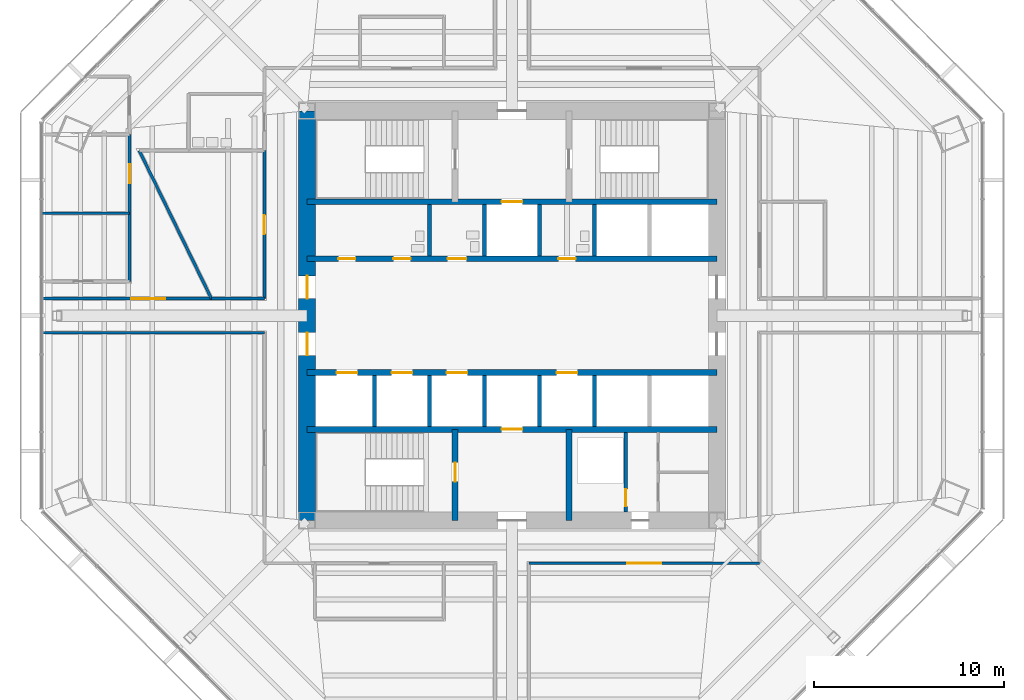
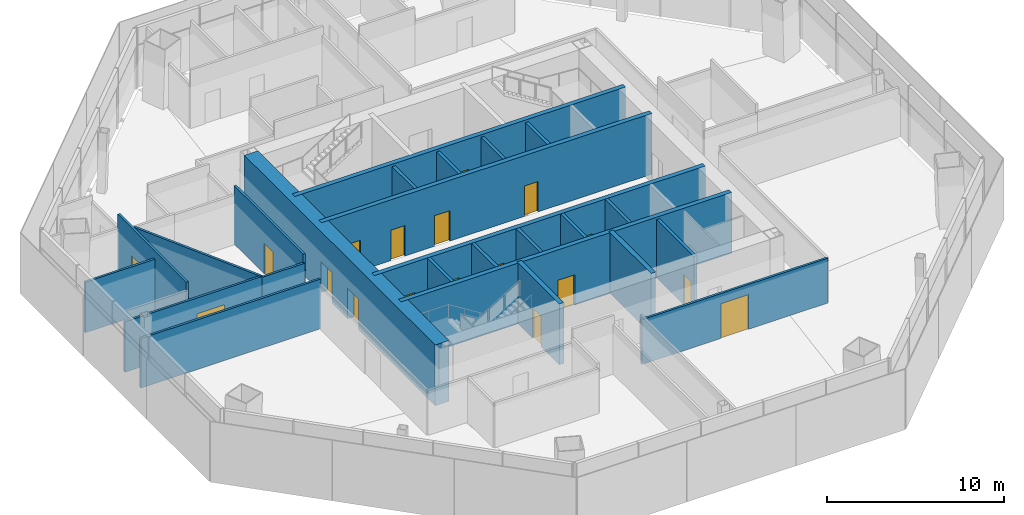
# One storey, part 9 of 14: 25 walls, 18 doors, 18 openings.
"""IFC4 building model written with IfcOpenShell, lengths in metres."""

from ifc_helpers import new_model, si_unit, direction, frame, frame_2d, origin, place, context, subcontext, project, spatial, rectangle, extrude, material, layer, layer_set, type_object, element, fill, save


model = new_model("IFC4")

# Units and contexts
model_context = context("Model", 3, precision=1e-05, world=origin(), true_north=direction((0.0, 1.0)))
body_context = subcontext(model_context, "Body", "Model", "MODEL_VIEW")
ifc_project = project(units=[si_unit("LENGTHUNIT", "METRE"), si_unit("AREAUNIT", "SQUARE_METRE"), si_unit("VOLUMEUNIT", "CUBIC_METRE"), si_unit("PLANEANGLEUNIT", "RADIAN"), si_unit("MASSUNIT", "GRAM", prefix="KILO")], contexts=[model_context])

# Site, building, storey
site_placement = place(None, origin())
site = spatial("IfcSite", under=ifc_project, at=site_placement, CompositionType="ELEMENT")
building_placement = place(site_placement, origin())
building = spatial("IfcBuilding", under=site, at=building_placement, Name="Mashrafa Tower", CompositionType="ELEMENT")
storey_placement = place(building_placement, frame((0.0, 0.0, 113.39990234375)))
storey = spatial("IfcBuildingStorey", under=building, at=storey_placement, Name="L25", CompositionType="ELEMENT", Elevation=113.39990234375)

# Wall, opening, door
ifc_material_1 = material(Name="Concrete masonry unit", Category="masonry")
ifc_layer_1 = layer(ifc_material_1, 0.199951171875)
ifc_layer_set_1 = layer_set([ifc_layer_1], Name="Blockwork wall 200 2 hr")
wall_type_1 = type_object("IfcWallType", Name="Blockwork wall 200 2 hr", PredefinedType="PARTITIONING", material=ifc_layer_set_1)
wall_1_placement = place(storey_placement, frame((6.0, -10.35009765625, 0.0), z_axis=(0.0, 0.0, 1.0), x_axis=(0.0, 1.0, 0.0)))
wall_1 = element("IfcWall", 1, at=wall_1_placement, inside=storey, type_object=wall_type_1, Name="Riser enclosure wall L25", PredefinedType="PARTITIONING", context=body_context, shape_type="SweptSolid", body=[
    extrude(rectangle(XDim=4.2001953125, YDim=0.199951171875, at=frame_2d((2.10009765625, 0.0))), origin(), (0.0, 0.0, 1.0), 4.03515625),
])
opening_1_placement = place(wall_1_placement, frame((0.300048828125, 0.0, 0.0)))
opening_1 = element("IfcOpeningElement", 2, at=opening_1_placement, cuts=wall_1, Name="Opening 25.028", PredefinedType="OPENING", context=body_context, shape_type="SweptSolid", body=[
    extrude(rectangle(XDim=0.89990234375, YDim=2.10009765625, at=frame_2d((0.449951171875, 1.050048828125))), frame((0.0, 0.10986328125, 0.0), z_axis=(0.0, -1.0, 0.0), x_axis=(1.0, 0.0, 0.0)), (0.0, 0.0, 1.0), 0.219970703125),
])
ifc_material_2 = material(Name="Steel door", Category="steel")
door_type_1 = type_object("IfcDoorType", Name="Service door 900 x 2100 90 min", OperationType="USERDEFINED", PredefinedType="DOOR", material=ifc_material_2)
door_1_placement = place(opening_1_placement, origin())
door_1 = element("IfcDoor", 3, at=door_1_placement, inside=storey, type_object=door_type_1, Name="Riser door L25", OperationType="SINGLE_SWING_LEFT", OverallHeight=2.10009765625, OverallWidth=0.89990234375, PredefinedType="DOOR", context=body_context, shape_type="SweptSolid", body=[
    extrude(rectangle(XDim=0.89990234375, YDim=2.10009765625, at=frame_2d((0.449951171875, 1.050048828125))), frame((0.0, 0.02490234375, 0.0), z_axis=(0.0, -1.0, 0.0), x_axis=(1.0, 0.0, 0.0)), (0.0, 0.0, 1.0), 0.050048828125),
])
fill(opening_1, door_1)

# Wall, openings, doors
ifc_material_3 = material(Name="Concrete C60/75", Category="concrete")
ifc_layer_2 = layer(ifc_material_3, 0.300048828125)
ifc_layer_set_2 = layer_set([ifc_layer_2], Name="Core wall 300 C60/75")
wall_type_2 = type_object("IfcWallType", Name="Core wall 300 C60/75", PredefinedType="SOLIDWALL", material=ifc_layer_set_2)
wall_2_placement = place(storey_placement, frame((-10.800048828125, 3.0, 0.0), z_axis=(0.0, 0.0, 1.0), x_axis=(1.0, 0.0, 0.0)))
wall_2 = element("IfcWall", 4, at=wall_2_placement, inside=storey, type_object=wall_type_2, Name="Core wall CH-N L25", PredefinedType="SOLIDWALL", context=body_context, shape_type="SweptSolid", body=[
    extrude(rectangle(XDim=21.60009765625, YDim=0.300048828125, at=frame_2d((10.800048828125, 0.0))), origin(), (0.0, 0.0, 1.0), 4.2001953125),
])
opening_2_placement = place(wall_2_placement, frame((1.64990234375, 0.0, 0.0)))
opening_2 = element("IfcOpeningElement", 5, at=opening_2_placement, cuts=wall_2, Name="Opening 25.031", PredefinedType="OPENING", context=body_context, shape_type="SweptSolid", body=[
    extrude(rectangle(XDim=0.89990234375, YDim=2.10009765625, at=frame_2d((0.449951171875, 1.050048828125))), frame((0.0, 0.159912109375, 0.0), z_axis=(0.0, -1.0, 0.0), x_axis=(1.0, 0.0, 0.0)), (0.0, 0.0, 1.0), 0.320068359375),
])
opening_3_placement = place(wall_2_placement, frame((4.550048828125, 0.0, 0.0)))
opening_3 = element("IfcOpeningElement", 6, at=opening_3_placement, cuts=wall_2, Name="Opening 25.032", PredefinedType="OPENING", context=body_context, shape_type="SweptSolid", body=[
    extrude(rectangle(XDim=0.89990234375, YDim=2.10009765625, at=frame_2d((0.449951171875, 1.050048828125))), frame((0.0, 0.159912109375, 0.0), z_axis=(0.0, -1.0, 0.0), x_axis=(1.0, 0.0, 0.0)), (0.0, 0.0, 1.0), 0.320068359375),
])
opening_4_placement = place(wall_2_placement, frame((7.39990234375, 0.0, 0.0)))
opening_4 = element("IfcOpeningElement", 7, at=opening_4_placement, cuts=wall_2, Name="Opening 25.033", PredefinedType="OPENING", context=body_context, shape_type="SweptSolid", body=[
    extrude(rectangle(XDim=1.0, YDim=2.10009765625, at=frame_2d((0.5, 1.050048828125))), frame((0.0, 0.159912109375, 0.0), z_axis=(0.0, -1.0, 0.0), x_axis=(1.0, 0.0, 0.0)), (0.0, 0.0, 1.0), 0.320068359375),
])
opening_5_placement = place(wall_2_placement, frame((13.25, 0.0, 0.0)))
opening_5 = element("IfcOpeningElement", 8, at=opening_5_placement, cuts=wall_2, Name="Opening 25.034", PredefinedType="OPENING", context=body_context, shape_type="SweptSolid", body=[
    extrude(rectangle(XDim=0.89990234375, YDim=2.10009765625, at=frame_2d((0.449951171875, 1.050048828125))), frame((0.0, 0.159912109375, 0.0), z_axis=(0.0, -1.0, 0.0), x_axis=(1.0, 0.0, 0.0)), (0.0, 0.0, 1.0), 0.320068359375),
])
ifc_material_4 = material(Name="Timber door", Category="wood")
door_type_2 = type_object("IfcDoorType", Name="Accessible toilet door 1000 x 2100", OperationType="USERDEFINED", PredefinedType="DOOR", material=ifc_material_4)
door_2_placement = place(opening_4_placement, origin())
door_2 = element("IfcDoor", 9, at=door_2_placement, inside=storey, type_object=door_type_2, Name="Accessible WC L25 door", OperationType="SINGLE_SWING_LEFT", OverallHeight=2.10009765625, OverallWidth=1.0, PredefinedType="DOOR", context=body_context, shape_type="SweptSolid", body=[
    extrude(rectangle(XDim=1.0, YDim=2.10009765625, at=frame_2d((0.5, 1.050048828125))), frame((0.0, 0.02490234375, 0.0), z_axis=(0.0, -1.0, 0.0), x_axis=(1.0, 0.0, 0.0)), (0.0, 0.0, 1.0), 0.050048828125),
])
fill(opening_4, door_2)
ifc_material_5 = material(Name="Timber door", Category="wood")
door_type_3 = type_object("IfcDoorType", Name="Toilet door 900 x 2100", OperationType="USERDEFINED", PredefinedType="DOOR", material=ifc_material_5)
door_3_placement = place(opening_2_placement, origin())
door_3 = element("IfcDoor", 10, at=door_3_placement, inside=storey, type_object=door_type_3, Name="WC Female L25 door", OperationType="SINGLE_SWING_LEFT", OverallHeight=2.10009765625, OverallWidth=0.89990234375, PredefinedType="DOOR", context=body_context, shape_type="SweptSolid", body=[
    extrude(rectangle(XDim=0.89990234375, YDim=2.10009765625, at=frame_2d((0.449951171875, 1.050048828125))), frame((0.0, 0.02490234375, 0.0), z_axis=(0.0, -1.0, 0.0), x_axis=(1.0, 0.0, 0.0)), (0.0, 0.0, 1.0), 0.050048828125),
])
fill(opening_2, door_3)
door_4_placement = place(opening_3_placement, origin())
door_4 = element("IfcDoor", 11, at=door_4_placement, inside=storey, type_object=door_type_3, Name="WC Female L25 door", OperationType="SINGLE_SWING_RIGHT", OverallHeight=2.10009765625, OverallWidth=0.89990234375, PredefinedType="DOOR", context=body_context, shape_type="SweptSolid", body=[
    extrude(rectangle(XDim=0.89990234375, YDim=2.10009765625, at=frame_2d((0.449951171875, 1.050048828125))), frame((0.0, 0.02490234375, 0.0), z_axis=(0.0, -1.0, 0.0), x_axis=(1.0, 0.0, 0.0)), (0.0, 0.0, 1.0), 0.050048828125),
])
fill(opening_3, door_4)
door_5_placement = place(opening_5_placement, origin())
door_5 = element("IfcDoor", 12, at=door_5_placement, inside=storey, type_object=door_type_3, Name="WC Male L25 door", OperationType="SINGLE_SWING_LEFT", OverallHeight=2.10009765625, OverallWidth=0.89990234375, PredefinedType="DOOR", context=body_context, shape_type="SweptSolid", body=[
    extrude(rectangle(XDim=0.89990234375, YDim=2.10009765625, at=frame_2d((0.449951171875, 1.050048828125))), frame((0.0, 0.02490234375, 0.0), z_axis=(0.0, -1.0, 0.0), x_axis=(1.0, 0.0, 0.0)), (0.0, 0.0, 1.0), 0.050048828125),
])
fill(opening_5, door_5)

# Wall, opening, door
wall_3_placement = place(storey_placement, frame((-10.800048828125, 6.0, 0.0), z_axis=(0.0, 0.0, 1.0), x_axis=(1.0, 0.0, 0.0)))
wall_3 = element("IfcWall", 13, at=wall_3_placement, inside=storey, type_object=wall_type_2, Name="Core wall CB-N L25", PredefinedType="SOLIDWALL", context=body_context, shape_type="SweptSolid", body=[
    extrude(rectangle(XDim=21.60009765625, YDim=0.300048828125, at=frame_2d((10.800048828125, 0.0))), origin(), (0.0, 0.0, 1.0), 4.2001953125),
])
opening_6_placement = place(wall_3_placement, frame((10.25, 0.0, 0.0)))
opening_6 = element("IfcOpeningElement", 14, at=opening_6_placement, cuts=wall_3, Name="Opening 25.F1", PredefinedType="OPENING", context=body_context, shape_type="SweptSolid", body=[
    extrude(rectangle(XDim=1.10009765625, YDim=2.10009765625, at=frame_2d((0.550048828125, 1.050048828125))), frame((0.0, 0.159912109375, 0.0), z_axis=(0.0, -1.0, 0.0), x_axis=(1.0, 0.0, 0.0)), (0.0, 0.0, 1.0), 0.320068359375),
])
ifc_material_6 = material(Name="Steel door", Category="steel")
door_type_4 = type_object("IfcDoorType", Name="Lift landing door 1100 x 2100 90 min", OperationType="DOUBLE_DOOR_SLIDING", PredefinedType="DOOR", material=ifc_material_6)
door_6_placement = place(opening_6_placement, origin())
door_6 = element("IfcDoor", 15, at=door_6_placement, inside=storey, type_object=door_type_4, Name="Lift landing door F1 L25", OperationType="DOUBLE_DOOR_SLIDING", OverallHeight=2.10009765625, OverallWidth=1.10009765625, PredefinedType="DOOR", context=body_context, shape_type="SweptSolid", body=[
    extrude(rectangle(XDim=1.10009765625, YDim=2.10009765625, at=frame_2d((0.550048828125, 1.050048828125))), frame((0.0, 0.02490234375, 0.0), z_axis=(0.0, -1.0, 0.0), x_axis=(1.0, 0.0, 0.0)), (0.0, 0.0, 1.0), 0.050048828125),
])
fill(opening_6, door_6)

# Wall, openings, doors
wall_4_placement = place(storey_placement, frame((-10.800048828125, -3.0, 0.0), z_axis=(0.0, 0.0, 1.0), x_axis=(1.0, 0.0, 0.0)))
wall_4 = element("IfcWall", 16, at=wall_4_placement, inside=storey, type_object=wall_type_2, Name="Core wall CH-S L25", PredefinedType="SOLIDWALL", context=body_context, shape_type="SweptSolid", body=[
    extrude(rectangle(XDim=21.60009765625, YDim=0.300048828125, at=frame_2d((10.800048828125, 0.0))), origin(), (0.0, 0.0, 1.0), 4.2001953125),
])
opening_7_placement = place(wall_4_placement, frame((1.550048828125, 0.0, 0.0)))
opening_7 = element("IfcOpeningElement", 17, at=opening_7_placement, cuts=wall_4, Name="Opening 25.B1", PredefinedType="OPENING", context=body_context, shape_type="SweptSolid", body=[
    extrude(rectangle(XDim=1.10009765625, YDim=2.10009765625, at=frame_2d((0.550048828125, 1.050048828125))), frame((0.0, 0.159912109375, 0.0), z_axis=(0.0, -1.0, 0.0), x_axis=(1.0, 0.0, 0.0)), (0.0, 0.0, 1.0), 0.320068359375),
])
opening_8_placement = place(wall_4_placement, frame((4.449951171875, 0.0, 0.0)))
opening_8 = element("IfcOpeningElement", 18, at=opening_8_placement, cuts=wall_4, Name="Opening 25.B2", PredefinedType="OPENING", context=body_context, shape_type="SweptSolid", body=[
    extrude(rectangle(XDim=1.10009765625, YDim=2.10009765625, at=frame_2d((0.550048828125, 1.050048828125))), frame((0.0, 0.159912109375, 0.0), z_axis=(0.0, -1.0, 0.0), x_axis=(1.0, 0.0, 0.0)), (0.0, 0.0, 1.0), 0.320068359375),
])
opening_9_placement = place(wall_4_placement, frame((7.35009765625, 0.0, 0.0)))
opening_9 = element("IfcOpeningElement", 19, at=opening_9_placement, cuts=wall_4, Name="Opening 25.B3", PredefinedType="OPENING", context=body_context, shape_type="SweptSolid", body=[
    extrude(rectangle(XDim=1.10009765625, YDim=2.10009765625, at=frame_2d((0.550048828125, 1.050048828125))), frame((0.0, 0.159912109375, 0.0), z_axis=(0.0, -1.0, 0.0), x_axis=(1.0, 0.0, 0.0)), (0.0, 0.0, 1.0), 0.320068359375),
])
opening_10_placement = place(wall_4_placement, frame((13.14990234375, 0.0, 0.0)))
opening_10 = element("IfcOpeningElement", 20, at=opening_10_placement, cuts=wall_4, Name="Opening 25.B4", PredefinedType="OPENING", context=body_context, shape_type="SweptSolid", body=[
    extrude(rectangle(XDim=1.10009765625, YDim=2.10009765625, at=frame_2d((0.550048828125, 1.050048828125))), frame((0.0, 0.159912109375, 0.0), z_axis=(0.0, -1.0, 0.0), x_axis=(1.0, 0.0, 0.0)), (0.0, 0.0, 1.0), 0.320068359375),
])
door_7_placement = place(opening_7_placement, origin())
door_7 = element("IfcDoor", 21, at=door_7_placement, inside=storey, type_object=door_type_4, Name="Lift landing door B1 L25", OperationType="DOUBLE_DOOR_SLIDING", OverallHeight=2.10009765625, OverallWidth=1.10009765625, PredefinedType="DOOR", context=body_context, shape_type="SweptSolid", body=[
    extrude(rectangle(XDim=1.10009765625, YDim=2.10009765625, at=frame_2d((0.550048828125, 1.050048828125))), frame((0.0, 0.02490234375, 0.0), z_axis=(0.0, -1.0, 0.0), x_axis=(1.0, 0.0, 0.0)), (0.0, 0.0, 1.0), 0.050048828125),
])
fill(opening_7, door_7)
door_8_placement = place(opening_8_placement, origin())
door_8 = element("IfcDoor", 22, at=door_8_placement, inside=storey, type_object=door_type_4, Name="Lift landing door B2 L25", OperationType="DOUBLE_DOOR_SLIDING", OverallHeight=2.10009765625, OverallWidth=1.10009765625, PredefinedType="DOOR", context=body_context, shape_type="SweptSolid", body=[
    extrude(rectangle(XDim=1.10009765625, YDim=2.10009765625, at=frame_2d((0.550048828125, 1.050048828125))), frame((0.0, 0.02490234375, 0.0), z_axis=(0.0, -1.0, 0.0), x_axis=(1.0, 0.0, 0.0)), (0.0, 0.0, 1.0), 0.050048828125),
])
fill(opening_8, door_8)
door_9_placement = place(opening_9_placement, origin())
door_9 = element("IfcDoor", 23, at=door_9_placement, inside=storey, type_object=door_type_4, Name="Lift landing door B3 L25", OperationType="DOUBLE_DOOR_SLIDING", OverallHeight=2.10009765625, OverallWidth=1.10009765625, PredefinedType="DOOR", context=body_context, shape_type="SweptSolid", body=[
    extrude(rectangle(XDim=1.10009765625, YDim=2.10009765625, at=frame_2d((0.550048828125, 1.050048828125))), frame((0.0, 0.02490234375, 0.0), z_axis=(0.0, -1.0, 0.0), x_axis=(1.0, 0.0, 0.0)), (0.0, 0.0, 1.0), 0.050048828125),
])
fill(opening_9, door_9)
door_10_placement = place(opening_10_placement, origin())
door_10 = element("IfcDoor", 24, at=door_10_placement, inside=storey, type_object=door_type_4, Name="Lift landing door B4 L25", OperationType="DOUBLE_DOOR_SLIDING", OverallHeight=2.10009765625, OverallWidth=1.10009765625, PredefinedType="DOOR", context=body_context, shape_type="SweptSolid", body=[
    extrude(rectangle(XDim=1.10009765625, YDim=2.10009765625, at=frame_2d((0.550048828125, 1.050048828125))), frame((0.0, 0.02490234375, 0.0), z_axis=(0.0, -1.0, 0.0), x_axis=(1.0, 0.0, 0.0)), (0.0, 0.0, 1.0), 0.050048828125),
])
fill(opening_10, door_10)

# Wall, opening, door
wall_5_placement = place(storey_placement, frame((-10.800048828125, -6.0, 0.0), z_axis=(0.0, 0.0, 1.0), x_axis=(1.0, 0.0, 0.0)))
wall_5 = element("IfcWall", 25, at=wall_5_placement, inside=storey, type_object=wall_type_2, Name="Core wall CB-S L25", PredefinedType="SOLIDWALL", context=body_context, shape_type="SweptSolid", body=[
    extrude(rectangle(XDim=21.60009765625, YDim=0.300048828125, at=frame_2d((10.800048828125, 0.0))), origin(), (0.0, 0.0, 1.0), 4.2001953125),
])
opening_11_placement = place(wall_5_placement, frame((10.25, 0.0, 0.0)))
opening_11 = element("IfcOpeningElement", 26, at=opening_11_placement, cuts=wall_5, Name="Opening 25.F2", PredefinedType="OPENING", context=body_context, shape_type="SweptSolid", body=[
    extrude(rectangle(XDim=1.10009765625, YDim=2.10009765625, at=frame_2d((0.550048828125, 1.050048828125))), frame((0.0, 0.159912109375, 0.0), z_axis=(0.0, -1.0, 0.0), x_axis=(1.0, 0.0, 0.0)), (0.0, 0.0, 1.0), 0.320068359375),
])
door_11_placement = place(opening_11_placement, origin())
door_11 = element("IfcDoor", 27, at=door_11_placement, inside=storey, type_object=door_type_4, Name="Lift landing door F2 L25", OperationType="DOUBLE_DOOR_SLIDING", OverallHeight=2.10009765625, OverallWidth=1.10009765625, PredefinedType="DOOR", context=body_context, shape_type="SweptSolid", body=[
    extrude(rectangle(XDim=1.10009765625, YDim=2.10009765625, at=frame_2d((0.550048828125, 1.050048828125))), frame((0.0, 0.02490234375, 0.0), z_axis=(0.0, -1.0, 0.0), x_axis=(1.0, 0.0, 0.0)), (0.0, 0.0, 1.0), 0.050048828125),
])
fill(opening_11, door_11)

wall_6_placement = place(storey_placement, frame((-3.0, -6.0, 0.0), z_axis=(0.0, 0.0, 1.0), x_axis=(0.0, -1.0, 0.0)))
wall_6 = element("IfcWall", 28, at=wall_6_placement, inside=storey, type_object=wall_type_2, Name="Core wall CX-SW L25", PredefinedType="SOLIDWALL", context=body_context, shape_type="SweptSolid", body=[
    extrude(rectangle(XDim=4.800048828125, YDim=0.300048828125, at=frame_2d((2.39990234375, 0.0))), origin(), (0.0, 0.0, 1.0), 4.2001953125),
])
opening_12_placement = place(wall_6_placement, frame((1.75, 0.0, 0.0)))
opening_12 = element("IfcOpeningElement", 29, at=opening_12_placement, cuts=wall_6, Name="Opening 25.026", PredefinedType="OPENING", context=body_context, shape_type="SweptSolid", body=[
    extrude(rectangle(XDim=1.0, YDim=2.10009765625, at=frame_2d((0.5, 1.050048828125))), frame((0.0, 0.159912109375, 0.0), z_axis=(0.0, -1.0, 0.0), x_axis=(1.0, 0.0, 0.0)), (0.0, 0.0, 1.0), 0.320068359375),
])
ifc_material_7 = material(Name="Steel door", Category="steel")
door_type_5 = type_object("IfcDoorType", Name="Stair door 1000 x 2100 90 min", OperationType="USERDEFINED", PredefinedType="DOOR", material=ifc_material_7)
door_12_placement = place(opening_12_placement, frame((1.0, 0.0, 0.0), z_axis=(0.0, 0.0, 1.0), x_axis=(-1.0, 0.0, 0.0)))
door_12 = element("IfcDoor", 30, at=door_12_placement, inside=storey, type_object=door_type_5, Name="Stair S3 door L25", OperationType="SINGLE_SWING_RIGHT", OverallHeight=2.10009765625, OverallWidth=1.0, PredefinedType="DOOR", context=body_context, shape_type="SweptSolid", body=[
    extrude(rectangle(XDim=1.0, YDim=2.10009765625, at=frame_2d((0.5, 1.050048828125))), frame((0.0, 0.02490234375, 0.0), z_axis=(0.0, -1.0, 0.0), x_axis=(1.0, 0.0, 0.0)), (0.0, 0.0, 1.0), 0.050048828125),
])
fill(opening_12, door_12)

# Wall
wall_7_placement = place(storey_placement, frame((3.0, -6.0, 0.0), z_axis=(0.0, 0.0, 1.0), x_axis=(0.0, -1.0, 0.0)))
element("IfcWall", 31, at=wall_7_placement, inside=storey, type_object=wall_type_2, Name="Core wall CX-SE L25", PredefinedType="SOLIDWALL", context=body_context, shape_type="SweptSolid", body=[
    extrude(rectangle(XDim=4.800048828125, YDim=0.300048828125, at=frame_2d((2.39990234375, 0.0))), origin(), (0.0, 0.0, 1.0), 4.2001953125),
])

# Wall, openings, doors
ifc_material_8 = material(Name="Concrete C60/75", Category="concrete")
ifc_layer_3 = layer(ifc_material_8, 0.89990234375)
ifc_layer_set_3 = layer_set([ifc_layer_3], Name="Core wall 900 C60/75")
wall_type_3 = type_object("IfcWallType", Name="Core wall 900 C60/75", PredefinedType="SOLIDWALL", material=ifc_layer_set_3)
wall_8_placement = place(storey_placement, frame((-10.800048828125, 10.800048828125, 0.0), z_axis=(0.0, 0.0, 1.0), x_axis=(0.0, -1.0, 0.0)))
wall_8 = element("IfcWall", 32, at=wall_8_placement, inside=storey, type_object=wall_type_3, Name="Core wall CW-W L25", PredefinedType="SOLIDWALL", context=body_context, shape_type="SweptSolid", body=[
    extrude(rectangle(XDim=21.60009765625, YDim=0.89990234375, at=frame_2d((10.800048828125, 0.0))), origin(), (0.0, 0.0, 1.0), 4.2001953125),
])
opening_13_placement = place(wall_8_placement, frame((8.699951171875, 0.0, 0.0)))
opening_13 = element("IfcOpeningElement", 33, at=opening_13_placement, cuts=wall_8, Name="Opening 25.019", PredefinedType="OPENING", context=body_context, shape_type="SweptSolid", body=[
    extrude(rectangle(XDim=1.199951171875, YDim=2.10009765625, at=frame_2d((0.60009765625, 1.050048828125))), frame((0.0, 0.4599609375, 0.0), z_axis=(0.0, -1.0, 0.0), x_axis=(1.0, 0.0, 0.0)), (0.0, 0.0, 1.0), 0.919921875),
])
opening_14_placement = place(wall_8_placement, frame((11.699951171875, 0.0, 0.0)))
opening_14 = element("IfcOpeningElement", 34, at=opening_14_placement, cuts=wall_8, Name="Opening 25.021", PredefinedType="OPENING", context=body_context, shape_type="SweptSolid", body=[
    extrude(rectangle(XDim=1.199951171875, YDim=2.10009765625, at=frame_2d((0.60009765625, 1.050048828125))), frame((0.0, 0.4599609375, 0.0), z_axis=(0.0, -1.0, 0.0), x_axis=(1.0, 0.0, 0.0)), (0.0, 0.0, 1.0), 0.919921875),
])
ifc_material_9 = material(Name="Steel door", Category="steel")
door_type_6 = type_object("IfcDoorType", Name="Lift hall door 1200 x 2100 90 min", OperationType="USERDEFINED", PredefinedType="DOOR", material=ifc_material_9)
door_13_placement = place(opening_13_placement, frame((1.199951171875, 0.0, 0.0), z_axis=(0.0, 0.0, 1.0), x_axis=(-1.0, 0.0, 0.0)))
door_13 = element("IfcDoor", 35, at=door_13_placement, inside=storey, type_object=door_type_6, Name="Lift hall door west L25", OperationType="SINGLE_SWING_RIGHT", OverallHeight=2.10009765625, OverallWidth=1.199951171875, PredefinedType="DOOR", context=body_context, shape_type="SweptSolid", body=[
    extrude(rectangle(XDim=1.199951171875, YDim=2.10009765625, at=frame_2d((0.60009765625, 1.050048828125))), frame((0.0, 0.02490234375, 0.0), z_axis=(0.0, -1.0, 0.0), x_axis=(1.0, 0.0, 0.0)), (0.0, 0.0, 1.0), 0.050048828125),
])
fill(opening_13, door_13)
door_14_placement = place(opening_14_placement, frame((1.199951171875, 0.0, 0.0), z_axis=(0.0, 0.0, 1.0), x_axis=(-1.0, 0.0, 0.0)))
door_14 = element("IfcDoor", 36, at=door_14_placement, inside=storey, type_object=door_type_6, Name="Lift hall door west L25", OperationType="SINGLE_SWING_LEFT", OverallHeight=2.10009765625, OverallWidth=1.199951171875, PredefinedType="DOOR", context=body_context, shape_type="SweptSolid", body=[
    extrude(rectangle(XDim=1.199951171875, YDim=2.10009765625, at=frame_2d((0.60009765625, 1.050048828125))), frame((0.0, 0.02490234375, 0.0), z_axis=(0.0, -1.0, 0.0), x_axis=(1.0, 0.0, 0.0)), (0.0, 0.0, 1.0), 0.050048828125),
])
fill(opening_14, door_14)

# Wall, opening, door
ifc_material_10 = material(Name="Gypsum board on steel studs", Category="steel")
ifc_layer_4 = layer(ifc_material_10, 0.14990234375)
ifc_layer_set_4 = layer_set([ifc_layer_4], Name="Corridor partition 150 1 hr")
wall_type_4 = type_object("IfcWallType", Name="Corridor partition 150 1 hr", PredefinedType="PARTITIONING", material=ifc_layer_set_4)
wall_9_placement = place(storey_placement, frame((-13.050048828125, 8.700927734375, 0.0), z_axis=(0.0, 0.0, 1.0), x_axis=(0.0, -1.0, 0.0)))
wall_9 = element("IfcWall", 37, at=wall_9_placement, inside=storey, type_object=wall_type_4, Name="Corridor wall L25-001", PredefinedType="PARTITIONING", context=body_context, shape_type="SweptSolid", body=[
    extrude(rectangle(XDim=7.801025390625, YDim=0.14990234375, at=frame_2d((3.900390625, 0.0))), origin(), (0.0, 0.0, 1.0), 4.03515625),
])
opening_15_placement = place(wall_9_placement, frame((3.400390625, 0.0, 0.0)))
opening_15 = element("IfcOpeningElement", 38, at=opening_15_placement, cuts=wall_9, Name="Opening 25.001", PredefinedType="OPENING", context=body_context, shape_type="SweptSolid", body=[
    extrude(rectangle(XDim=1.0, YDim=2.10009765625, at=frame_2d((0.5, 1.050048828125))), frame((0.0, 0.0849609375, 0.0), z_axis=(0.0, -1.0, 0.0), x_axis=(1.0, 0.0, 0.0)), (0.0, 0.0, 1.0), 0.169921875),
])
ifc_material_11 = material(Name="Timber door", Category="wood")
door_type_7 = type_object("IfcDoorType", Name="Door 1000 x 2100", OperationType="USERDEFINED", PredefinedType="DOOR", material=ifc_material_11)
door_15_placement = place(opening_15_placement, frame((1.0, 0.0, 0.0), z_axis=(0.0, 0.0, 1.0), x_axis=(-1.0, 0.0, 0.0)))
door_15 = element("IfcDoor", 39, at=door_15_placement, inside=storey, type_object=door_type_7, Name="Musallah Prayer Room 25 door", OperationType="SINGLE_SWING_LEFT", OverallHeight=2.10009765625, OverallWidth=1.0, PredefinedType="DOOR", context=body_context, shape_type="SweptSolid", body=[
    extrude(rectangle(XDim=1.0, YDim=2.10009765625, at=frame_2d((0.5, 1.050048828125))), frame((0.0, 0.02490234375, 0.0), z_axis=(0.0, -1.0, 0.0), x_axis=(1.0, 0.0, 0.0)), (0.0, 0.0, 1.0), 0.050048828125),
])
fill(opening_15, door_15)

# Wall
wall_10_placement = place(storey_placement, frame((-13.050048828125, 0.89990234375, 0.0), z_axis=(0.0, 0.0, 1.0), x_axis=(-1.0, 0.0, 0.0)))
element("IfcWall", 40, at=wall_10_placement, inside=storey, type_object=wall_type_4, Name="Corridor wall L25-002", PredefinedType="PARTITIONING", context=body_context, shape_type="SweptSolid", body=[
    extrude(rectangle(XDim=2.796630859375, YDim=0.14990234375, at=frame_2d((1.3984375, 0.0))), origin(), (0.0, 0.0, 1.0), 3.42578125),
])

# Wall, opening, door
wall_11_placement = place(storey_placement, frame((-15.844482421875, 0.89990234375, 0.0), z_axis=(0.0, 0.0, 1.0), x_axis=(-1.0, 0.0, 0.0)))
wall_11 = element("IfcWall", 41, at=wall_11_placement, inside=storey, type_object=wall_type_4, Name="Corridor wall L25-014", PredefinedType="PARTITIONING", context=body_context, shape_type="SweptSolid", body=[
    extrude(rectangle(XDim=8.9462890625, YDim=0.14990234375, at=frame_2d((4.47314453125, 0.0))), origin(), (0.0, 0.0, 1.0), 3.49169921875),
])
opening_16_placement = place(wall_11_placement, frame((2.43603515625, 0.0, 0.0)))
opening_16 = element("IfcOpeningElement", 42, at=opening_16_placement, cuts=wall_11, Name="Opening 25.015", PredefinedType="OPENING", context=body_context, shape_type="SweptSolid", body=[
    extrude(rectangle(XDim=1.800048828125, YDim=2.39990234375, at=frame_2d((0.89990234375, 1.199951171875))), frame((0.0, 0.0849609375, 0.0), z_axis=(0.0, -1.0, 0.0), x_axis=(1.0, 0.0, 0.0)), (0.0, 0.0, 1.0), 0.169921875),
])
ifc_material_12 = material(Name="Timber door", Category="wood")
door_type_8 = type_object("IfcDoorType", Name="Door pair 1800 x 2400", OperationType="DOUBLE_DOOR_SINGLE_SWING", PredefinedType="DOOR", material=ifc_material_12)
door_16_placement = place(opening_16_placement, frame((1.800048828125, 0.0, 0.0), z_axis=(0.0, 0.0, 1.0), x_axis=(-1.0, 0.0, 0.0)))
door_16 = element("IfcDoor", 43, at=door_16_placement, inside=storey, type_object=door_type_8, Name="Policy and Programmes Office 25-NW door", OperationType="DOUBLE_DOOR_SINGLE_SWING", OverallHeight=2.39990234375, OverallWidth=1.800048828125, PredefinedType="DOOR", context=body_context, shape_type="SweptSolid", body=[
    extrude(rectangle(XDim=1.800048828125, YDim=2.39990234375, at=frame_2d((0.89990234375, 1.199951171875))), frame((0.0, 0.02490234375, 0.0), z_axis=(0.0, -1.0, 0.0), x_axis=(1.0, 0.0, 0.0)), (0.0, 0.0, 1.0), 0.050048828125),
])
fill(opening_16, door_16)

# Wall
wall_12_placement = place(storey_placement, frame((-24.788818359375, -0.89990234375, 0.0), z_axis=(0.0, 0.0, 1.0), x_axis=(1.0, 0.0, 0.0)))
element("IfcWall", 44, at=wall_12_placement, inside=storey, type_object=wall_type_4, Name="Corridor wall L25-019", PredefinedType="PARTITIONING", context=body_context, shape_type="SweptSolid", body=[
    extrude(rectangle(XDim=11.73876953125, YDim=0.14990234375, at=frame_2d((5.869384765625, 0.0))), origin(), (0.0, 0.0, 1.0), 3.42578125),
])

# Wall, opening, door
wall_13_placement = place(storey_placement, frame((0.89990234375, -13.050048828125, 0.0), z_axis=(0.0, 0.0, 1.0), x_axis=(1.0, 0.0, 0.0)))
wall_13 = element("IfcWall", 45, at=wall_13_placement, inside=storey, type_object=wall_type_4, Name="Corridor wall L25-025", PredefinedType="PARTITIONING", context=body_context, shape_type="SweptSolid", body=[
    extrude(rectangle(XDim=12.150146484375, YDim=0.14990234375, at=frame_2d((6.0751953125, 0.0))), origin(), (0.0, 0.0, 1.0), 3.097900390625),
])
opening_17_placement = place(wall_13_placement, frame((5.175048828125, 0.0, 0.0)))
opening_17 = element("IfcOpeningElement", 46, at=opening_17_placement, cuts=wall_13, Name="Opening 25.017", PredefinedType="OPENING", context=body_context, shape_type="SweptSolid", body=[
    extrude(rectangle(XDim=1.800048828125, YDim=2.39990234375, at=frame_2d((0.89990234375, 1.199951171875))), frame((0.0, 0.0849609375, 0.0), z_axis=(0.0, -1.0, 0.0), x_axis=(1.0, 0.0, 0.0)), (0.0, 0.0, 1.0), 0.169921875),
])
door_17_placement = place(opening_17_placement, frame((1.800048828125, 0.0, 0.0), z_axis=(0.0, 0.0, 1.0), x_axis=(-1.0, 0.0, 0.0)))
door_17 = element("IfcDoor", 47, at=door_17_placement, inside=storey, type_object=door_type_8, Name="Programme Delivery Office 25-SE door", OperationType="DOUBLE_DOOR_SINGLE_SWING", OverallHeight=2.39990234375, OverallWidth=1.800048828125, PredefinedType="DOOR", context=body_context, shape_type="SweptSolid", body=[
    extrude(rectangle(XDim=1.800048828125, YDim=2.39990234375, at=frame_2d((0.89990234375, 1.199951171875))), frame((0.0, 0.02490234375, 0.0), z_axis=(0.0, -1.0, 0.0), x_axis=(1.0, 0.0, 0.0)), (0.0, 0.0, 1.0), 0.050048828125),
])
fill(opening_17, door_17)

# Walls
ifc_material_13 = material(Name="Gypsum board on steel studs", Category="steel")
ifc_layer_5 = layer(ifc_material_13, 0.14990234375)
ifc_layer_set_5 = layer_set([ifc_layer_5], Name="Partition 150")
wall_type_5 = type_object("IfcWallType", Name="Partition 150", PredefinedType="PARTITIONING", material=ifc_layer_set_5)
wall_14_placement = place(storey_placement, frame((-19.64990234375, 8.699951171875, 0.0), z_axis=(0.0, 0.0, 1.0), x_axis=(0.438358227548, -0.898800347319, 0.0)))
element("IfcWall", 48, at=wall_14_placement, inside=storey, type_object=wall_type_5, Name="Partition wall L25-030", PredefinedType="PARTITIONING", context=body_context, shape_type="SweptSolid", body=[
    extrude(rectangle(XDim=8.67822265625, YDim=0.14990234375, at=frame_2d((4.339111328125, 0.0))), origin(), (0.0, 0.0, 1.0), 3.499267578125),
])
wall_15_placement = place(storey_placement, frame((-24.788818359375, 5.39990234375, 0.0), z_axis=(0.0, 0.0, 1.0), x_axis=(1.0, 0.0, 0.0)))
element("IfcWall", 49, at=wall_15_placement, inside=storey, type_object=wall_type_5, Name="Partition wall L25-049", PredefinedType="PARTITIONING", context=body_context, shape_type="SweptSolid", body=[
    extrude(rectangle(XDim=4.632080078125, YDim=0.14990234375, at=frame_2d((2.31591796875, 0.0))), origin(), (0.0, 0.0, 1.0), 3.49169921875),
])

# Wall, opening, door
wall_16_placement = place(storey_placement, frame((-20.15673828125, 9.555908203125, 0.0), z_axis=(0.0, 0.0, 1.0), x_axis=(0.0, -1.0, 0.0)))
wall_16 = element("IfcWall", 50, at=wall_16_placement, inside=storey, type_object=wall_type_5, Name="Partition wall L25-050", PredefinedType="PARTITIONING", context=body_context, shape_type="SweptSolid", body=[
    extrude(rectangle(XDim=7.755859375, YDim=0.14990234375, at=frame_2d((3.8779296875, 0.0))), origin(), (0.0, 0.0, 1.0), 4.03515625),
])
opening_18_placement = place(wall_16_placement, frame((1.577880859375, 0.0, 0.0)))
opening_18 = element("IfcOpeningElement", 51, at=opening_18_placement, cuts=wall_16, Name="Opening 25.009", PredefinedType="OPENING", context=body_context, shape_type="SweptSolid", body=[
    extrude(rectangle(XDim=1.0, YDim=2.10009765625, at=frame_2d((0.5, 1.050048828125))), frame((0.0, 0.0849609375, 0.0), z_axis=(0.0, -1.0, 0.0), x_axis=(1.0, 0.0, 0.0)), (0.0, 0.0, 1.0), 0.169921875),
])
door_18_placement = place(opening_18_placement, frame((1.0, 0.0, 0.0), z_axis=(0.0, 0.0, 1.0), x_axis=(-1.0, 0.0, 0.0)))
door_18 = element("IfcDoor", 52, at=door_18_placement, inside=storey, type_object=door_type_7, Name="Case Officer's Office 25-NW-2 door", OperationType="SINGLE_SWING_LEFT", OverallHeight=2.10009765625, OverallWidth=1.0, PredefinedType="DOOR", context=body_context, shape_type="SweptSolid", body=[
    extrude(rectangle(XDim=1.0, YDim=2.10009765625, at=frame_2d((0.5, 1.050048828125))), frame((0.0, 0.02490234375, 0.0), z_axis=(0.0, -1.0, 0.0), x_axis=(1.0, 0.0, 0.0)), (0.0, 0.0, 1.0), 0.050048828125),
])
fill(opening_18, door_18)

# Walls
ifc_material_14 = material(Name="Gypsum shaft wall on steel studs", Category="steel")
ifc_layer_6 = layer(ifc_material_14, 0.199951171875)
ifc_layer_set_6 = layer_set([ifc_layer_6], Name="Shaft divider wall 200 2 hr")
wall_type_6 = type_object("IfcWallType", Name="Shaft divider wall 200 2 hr", PredefinedType="PARTITIONING", material=ifc_layer_set_6)
for number, where, z_axis, x_axis, name in (
    (53, (-4.35009765625, 3.14990234375, 0.0), (0.0, 0.0, 1.0), (0.0, 1.0, 0.0), "Shaft divider wall N2 L25"),
    (54, (-1.449951171875, 3.14990234375, 0.0), (0.0, 0.0, 1.0), (0.0, 1.0, 0.0), "Shaft divider wall N3 L25"),
    (55, (1.449951171875, 3.14990234375, 0.0), (0.0, 0.0, 1.0), (0.0, 1.0, 0.0), "Shaft divider wall N4 L25"),
    (56, (4.35009765625, 3.14990234375, 0.0), (0.0, 0.0, 1.0), (0.0, 1.0, 0.0), "Shaft divider wall N5 L25"),
):
    element("IfcWall", number, at=place(storey_placement, frame(where, z_axis=z_axis, x_axis=x_axis)), inside=storey, type_object=wall_type_6, Name=name, PredefinedType="PARTITIONING", context=body_context, shape_type="SweptSolid", body=[
        extrude(rectangle(XDim=2.7001953125, YDim=0.199951171875, at=frame_2d((1.35009765625, 0.0))), origin(), (0.0, 0.0, 1.0), 4.03515625),
    ])
for number, where, z_axis, x_axis, name in (
    (57, (-7.25, -5.85009765625, 0.0), (0.0, 0.0, 1.0), (0.0, 1.0, 0.0), "Shaft divider wall S1 L25"),
    (58, (-4.35009765625, -5.85009765625, 0.0), (0.0, 0.0, 1.0), (0.0, 1.0, 0.0), "Shaft divider wall S2 L25"),
    (59, (-1.449951171875, -5.85009765625, 0.0), (0.0, 0.0, 1.0), (0.0, 1.0, 0.0), "Shaft divider wall S3 L25"),
    (60, (1.449951171875, -5.85009765625, 0.0), (0.0, 0.0, 1.0), (0.0, 1.0, 0.0), "Shaft divider wall S4 L25"),
    (61, (4.35009765625, -5.85009765625, 0.0), (0.0, 0.0, 1.0), (0.0, 1.0, 0.0), "Shaft divider wall S5 L25"),
):
    element("IfcWall", number, at=place(storey_placement, frame(where, z_axis=z_axis, x_axis=x_axis)), inside=storey, type_object=wall_type_6, Name=name, PredefinedType="PARTITIONING", context=body_context, shape_type="SweptSolid", body=[
        extrude(rectangle(XDim=2.7001953125, YDim=0.199951171875, at=frame_2d((1.35009765625, 0.0))), origin(), (0.0, 0.0, 1.0), 4.2001953125),
    ])

save(model, "model.ifc")
